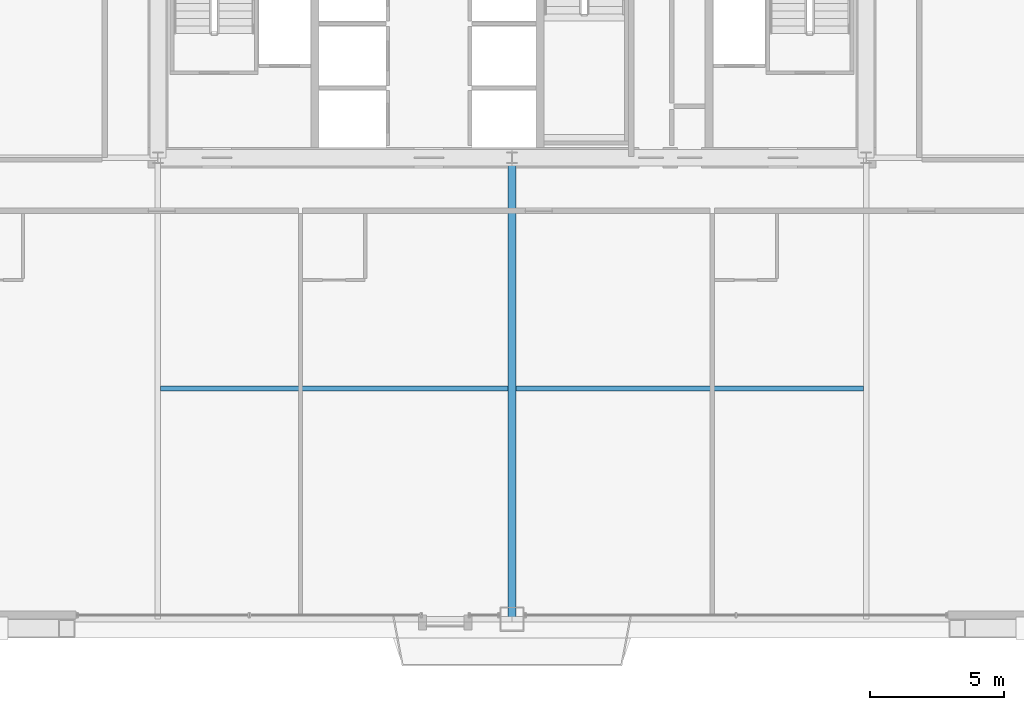
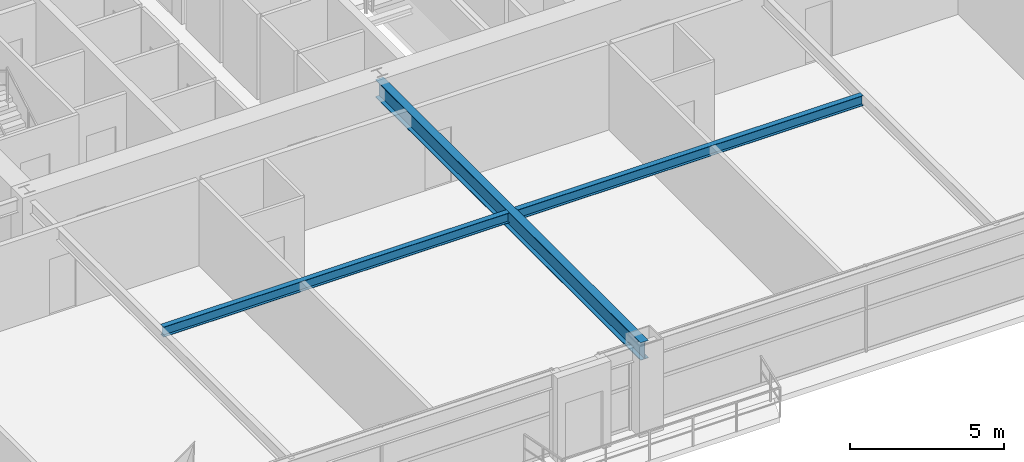
# One storey, part 9 of 43: 3 beams.
"""IFC4 building model written with IfcOpenShell, lengths in metres."""

import ifcopenshell
import ifcopenshell.guid

model = None  # the IFC model being written
_history = None  # IfcOwnerHistory: only IFC2X3 demands one
_inside = {}  # id of a spatial element -> (the spatial element, [elements in it])
_under = {}  # id of a project, library or spatial element -> (it, [spatial elements below it])
_declared = {}  # id of a project -> (the project, [libraries it declares])
_typed = {}  # id of a type object -> (the type object, [elements of that type])
_made_of = {}  # id of a material, layer set ... -> (it, [elements and type objects made of it])


def new_model(schema):
    """Start an empty IFC model of exactly this schema.

    Asked for "IFC4X3", IfcOpenShell would pick the latest addendum, in which some entities
    have other attributes; the version numbers below select the first issue.
    IFC2X3 requires an IfcOwnerHistory on every rooted entity: one is made here for all.
    """
    global model, _history
    if schema == "IFC4X3":
        model = ifcopenshell.file(schema_version=(4, 3, 0, 0))
    else:
        model = ifcopenshell.file(schema=schema)
    _inside.clear()
    _under.clear()
    _declared.clear()
    _typed.clear()
    _made_of.clear()
    _history = None
    if model.schema == "IFC2X3":
        org = make("IfcOrganization", Name="unknown")
        user = make(
            "IfcPersonAndOrganization",
            ThePerson=make("IfcPerson", FamilyName="unknown"),
            TheOrganization=org,
        )
        app = make(
            "IfcApplication",
            ApplicationDeveloper=org,
            Version="unknown",
            ApplicationFullName="unknown",
            ApplicationIdentifier="unknown",
        )
        _history = make(
            "IfcOwnerHistory",
            OwningUser=user,
            OwningApplication=app,
            ChangeAction="ADDED",
            CreationDate=0,
        )
    return model


def make(cls, **values):
    """One entity of the class cls with the attributes given. An attribute that is None is left unset."""
    return model.create_entity(
        cls, **{name: value for name, value in values.items() if value is not None}
    )


def rooted(cls, **values):
    """An entity with a GlobalId (a new one), such as an element, a storey or a relation."""
    return make(cls, GlobalId=ifcopenshell.guid.new(), OwnerHistory=_history, **values)


def si_unit(unit_type, name, prefix=None):
    """IfcSIUnit, for example si_unit("LENGTHUNIT", "METRE", prefix="MILLI")."""
    return make("IfcSIUnit", UnitType=unit_type, Prefix=prefix, Name=name)


def assignment(units):
    """IfcUnitAssignment: the units of a project."""
    return None if units is None else make("IfcUnitAssignment", Units=units)


def point(xyz):
    """IfcCartesianPoint."""
    return None if xyz is None else make("IfcCartesianPoint", Coordinates=xyz)


def direction(xyz):
    """IfcDirection."""
    return None if xyz is None else make("IfcDirection", DirectionRatios=xyz)


def frame(location, z_axis=None, x_axis=None):
    """IfcAxis2Placement3D, a coordinate frame: its origin and axes. An axis left out is left unset."""
    return make(
        "IfcAxis2Placement3D",
        Location=point(location),
        Axis=direction(z_axis),
        RefDirection=direction(x_axis),
    )


def frame_2d(location, x_axis=None):
    """IfcAxis2Placement2D, a coordinate frame in the plane: its origin and x axis."""
    return make(
        "IfcAxis2Placement2D", Location=point(location), RefDirection=direction(x_axis)
    )


def origin():
    """The frame at (0, 0, 0) with its axes left unset."""
    return frame((0.0, 0.0, 0.0))


def origin_2d():
    """The frame at (0, 0) in the plane with its x axis left unset."""
    return frame_2d((0.0, 0.0))


def place(relative_to, where):
    """IfcLocalPlacement: puts the frame where relative to a parent placement (None: the world)."""
    return make(
        "IfcLocalPlacement", PlacementRelTo=relative_to, RelativePlacement=where
    )


def context(
    kind, dimensions, precision=None, world=None, true_north=None, identifier=None
):
    """IfcGeometricRepresentationContext, for example the 3D "Model" context."""
    return make(
        "IfcGeometricRepresentationContext",
        ContextIdentifier=identifier,
        ContextType=kind,
        CoordinateSpaceDimension=dimensions,
        Precision=precision,
        WorldCoordinateSystem=world,
        TrueNorth=true_north,
    )


def subcontext(parent, identifier, kind, view, scale=None):
    """IfcGeometricRepresentationSubContext, for example "Body" below "Model"."""
    return make(
        "IfcGeometricRepresentationSubContext",
        ContextIdentifier=identifier,
        ContextType=kind,
        ParentContext=parent,
        TargetScale=scale,
        TargetView=view,
    )


def project(units=None, contexts=None):
    """IfcProject with its units and contexts."""
    return rooted(
        "IfcProject",
        Name="project",
        RepresentationContexts=contexts,
        UnitsInContext=assignment(units),
    )


def spatial(cls, under=None, at=None, **own):
    """A site, building, storey or space (cls), placed at a placement, below another one or the project."""
    s = rooted(cls, ObjectPlacement=at, **own)
    if under is not None:
        _under.setdefault(under.id(), (under, []))[1].append(s)
    return s


def profile(cls, at=None, kind="AREA", **sizes):
    """A parametric profile (cls). Its sizes go by their IFC names, for example OverallWidth=200.0."""
    return make(cls, ProfileType=kind, Position=at, **sizes)


def i_section(**sizes):
    """IfcIShapeProfileDef."""
    return profile("IfcIShapeProfileDef", **sizes)


def extrude(swept, where, along, depth):
    """IfcExtrudedAreaSolid: the profile swept, set in the frame where, extruded along a direction by depth."""
    return make(
        "IfcExtrudedAreaSolid",
        SweptArea=swept,
        Position=where,
        ExtrudedDirection=direction(along),
        Depth=depth,
    )


def shape(context_of_items, identifier, shape_type, items):
    """IfcShapeRepresentation: the items that make up one representation, for example the "Body"."""
    return make(
        "IfcShapeRepresentation",
        ContextOfItems=context_of_items,
        RepresentationIdentifier=identifier,
        RepresentationType=shape_type,
        Items=items,
    )


def source(mapping_origin, context_of_items, identifier, shape_type, items):
    """IfcRepresentationMap: a shape defined once, which mapped items show again and again."""
    return make(
        "IfcRepresentationMap",
        MappingOrigin=mapping_origin,
        MappedRepresentation=shape(context_of_items, identifier, shape_type, items),
    )


def transform(
    local_origin,
    x_axis=None,
    y_axis=None,
    z_axis=None,
    scale=None,
    scale2=None,
    scale3=None,
    uniform=True,
):
    """IfcCartesianTransformationOperator3D, or its non-uniform kind. x_axis, y_axis, z_axis: its Axis1, 2, 3."""
    if uniform:
        return make(
            "IfcCartesianTransformationOperator3D",
            Axis1=direction(x_axis),
            Axis2=direction(y_axis),
            LocalOrigin=point(local_origin),
            Scale=scale,
            Axis3=direction(z_axis),
        )
    return make(
        "IfcCartesianTransformationOperator3DnonUniform",
        Axis1=direction(x_axis),
        Axis2=direction(y_axis),
        LocalOrigin=point(local_origin),
        Scale=scale,
        Axis3=direction(z_axis),
        Scale2=scale2,
        Scale3=scale3,
    )


def mapped(mapping_source, mapping_target):
    """IfcMappedItem: shows the shape of a source again, moved by a transform."""
    return make(
        "IfcMappedItem", MappingSource=mapping_source, MappingTarget=mapping_target
    )


def material(Name=None, Category=None):
    """IfcMaterial."""
    return make("IfcMaterial", Name=Name, Category=Category)


def material_profile(
    of_material, cross_section, Name=None, Category=None, Priority=None
):
    """IfcMaterialProfile: a cross section and its material."""
    return make(
        "IfcMaterialProfile",
        Name=Name,
        Material=of_material,
        Profile=cross_section,
        Priority=Priority,
        Category=Category,
    )


def profile_set(profiles, Name=None, composite=None):
    """IfcMaterialProfileSet."""
    return make(
        "IfcMaterialProfileSet",
        Name=Name,
        MaterialProfiles=profiles,
        CompositeProfile=composite,
    )


def made_of(thing, what):
    """Note that an element or type object is made of a material, layer set ...; save() writes the relation."""
    if what is not None:
        _made_of.setdefault(what.id(), (what, []))[1].append(thing)
    return thing


def type_object(cls, material=None, **own):
    """A type object (cls), such as IfcWallType, which elements share."""
    return made_of(rooted(cls, **own), material)


def element(
    cls,
    number,
    at=None,
    inside=None,
    cuts=None,
    type_object=None,
    material=None,
    context=None,
    identifier="Body",
    shape_type=None,
    held_by="IfcProductDefinitionShape",
    body=None,
    shapes=None,
    **own,
):
    """One element of the class cls, such as IfcWall. Its Tag is "e" and its number.

    at: its placement. inside: the storey or other place that contains it. cuts: it is an
    opening in that element (IfcRelVoidsElement). A single representation is given by context,
    identifier, shape_type and body (its items); several are given by shapes. held_by: the class
    of the entity that holds the representations. save() writes the other relations.
    """
    e = rooted(cls, Tag="e%d" % number, ObjectPlacement=at, **own)
    if body is not None:
        shapes = [shape(context, identifier, shape_type, body)]
    if shapes is not None:
        e.Representation = make(held_by, Representations=shapes)
    if inside is not None:
        _inside.setdefault(inside.id(), (inside, []))[1].append(e)
    if cuts is not None:
        rooted(
            "IfcRelVoidsElement", RelatingBuildingElement=cuts, RelatedOpeningElement=e
        )
    if type_object is not None:
        _typed.setdefault(type_object.id(), (type_object, []))[1].append(e)
    return made_of(e, material)


def aggregate(whole, parts):
    """IfcRelAggregates: a whole, such as a stair, and the parts it consists of."""
    return rooted("IfcRelAggregates", RelatingObject=whole, RelatedObjects=parts)


def save(model, path):
    """Write the relations noted so far, then the file.

    IfcRelAggregates (storeys below a building ...), IfcRelContainedInSpatialStructure (elements
    in a storey), IfcRelDefinesByType, IfcRelAssociatesMaterial and IfcRelDeclares: one each for
    every whole, place, type object, material and project.
    """
    for whole, parts in _under.values():
        aggregate(whole, parts)
    for where, things in _inside.values():
        rooted(
            "IfcRelContainedInSpatialStructure",
            RelatedElements=things,
            RelatingStructure=where,
        )
    for kind, things in _typed.values():
        rooted("IfcRelDefinesByType", RelatedObjects=things, RelatingType=kind)
    for what, things in _made_of.values():
        rooted("IfcRelAssociatesMaterial", RelatedObjects=things, RelatingMaterial=what)
    for by, libraries in _declared.values():
        rooted("IfcRelDeclares", RelatingContext=by, RelatedDefinitions=libraries)
    model.write(path)


model = new_model("IFC4")

# Units and contexts
model_context = context("Model", 3, precision=1e-05, world=origin(), true_north=direction((0.0, 1.0)))
body_context = subcontext(model_context, "Body", "Model", "MODEL_VIEW")
ifc_project = project(units=[si_unit("LENGTHUNIT", "METRE"), si_unit("AREAUNIT", "SQUARE_METRE"), si_unit("VOLUMEUNIT", "CUBIC_METRE"), si_unit("PLANEANGLEUNIT", "RADIAN"), si_unit("MASSUNIT", "GRAM", prefix="KILO"), si_unit("THERMODYNAMICTEMPERATUREUNIT", "KELVIN"), si_unit("POWERUNIT", "WATT")], contexts=[model_context])

# Site, building, storey
site_placement = place(None, origin())
site = spatial("IfcSite", under=ifc_project, at=site_placement, CompositionType="ELEMENT")
building_placement = place(site_placement, origin())
building = spatial("IfcBuilding", under=site, at=building_placement, Name="Yuzanri Waterfront Tower", CompositionType="ELEMENT")
storey_placement = place(building_placement, frame((0.0, 0.0, 108.199951171875)))
storey = spatial("IfcBuildingStorey", under=building, at=storey_placement, Name="L28", CompositionType="ELEMENT", Elevation=108.199951171875)

# Beams
ifc_material_1 = material(Name="Steel Q355B", Category="steel")
ifc_material_profile_1 = material_profile(ifc_material_1, i_section(OverallWidth=0.199951171875, OverallDepth=0.39990234375, WebThickness=0.008056640625, FlangeThickness=0.012939453125, at=origin_2d()), Name="HN 400x200x8x13")
ifc_profile_set_1 = profile_set([ifc_material_profile_1], Name="Steel Q355B")
beam_type_1 = type_object("IfcBeamType", Name="Floor Joist Q355B HN 400x200", PredefinedType="JOIST", material=ifc_profile_set_1)
shared_shape_1 = source(origin(), body_context, "Body", "SweptSolid", [
    extrude(i_section(OverallWidth=0.199951171875, OverallDepth=0.39990234375, WebThickness=0.008056640625, FlangeThickness=0.012939453125, at=origin_2d()), origin(), (0.0, 0.0, 1.0), 12.9501953125),
])
for number, where, z_axis, x_axis, name in (
    (1, (23.89990234375, 10.800048828125, 3.179931640625), (1.0, 0.0, 0.0), (0.0, 1.0, 0.0), "L28 South Bay Joist W"),
    (2, (37.14990234375, 10.800048828125, 3.179931640625), (1.0, 0.0, 0.0), (0.0, 1.0, 0.0), "L28 South Bay Joist E"),
):
    element("IfcBeam", number, at=place(storey_placement, frame(where, z_axis=z_axis, x_axis=x_axis)), inside=storey, type_object=beam_type_1, Name=name, PredefinedType="JOIST", context=body_context, shape_type="MappedRepresentation", body=[
        mapped(shared_shape_1, transform((0.0, 0.0, 0.0), scale=1.0)),
    ])
ifc_material_2 = material(Name="Steel Q355B", Category="steel")
ifc_material_profile_2 = material_profile(ifc_material_2, i_section(OverallWidth=0.300048828125, OverallDepth=0.699951171875, WebThickness=0.012939453125, FlangeThickness=0.02392578125, at=origin_2d()), Name="HN 700x300x13x24")
ifc_profile_set_2 = profile_set([ifc_material_profile_2], Name="Steel Q355B")
beam_type_2 = type_object("IfcBeamType", Name="Primary Floor Girder Q355B HN 700x300", PredefinedType="BEAM", material=ifc_profile_set_2)
shared_shape_2 = source(origin(), body_context, "Body", "SweptSolid", [
    extrude(i_section(OverallWidth=0.300048828125, OverallDepth=0.699951171875, WebThickness=0.012939453125, FlangeThickness=0.02392578125, at=origin_2d()), origin(), (0.0, 0.0, 1.0), 17.199951171875),
])
beam_placement = place(storey_placement, frame((37.0, 19.39990234375, 3.030029296875), z_axis=(0.0, -1.0, 0.0), x_axis=(1.0, 0.0, 0.0)))
element("IfcBeam", 3, at=beam_placement, inside=storey, type_object=beam_type_2, Name="L28 South Grid Girder", PredefinedType="BEAM", context=body_context, shape_type="MappedRepresentation", body=[
    mapped(shared_shape_2, transform((0.0, 0.0, 0.0), scale=1.0)),
])

save(model, "model.ifc")
